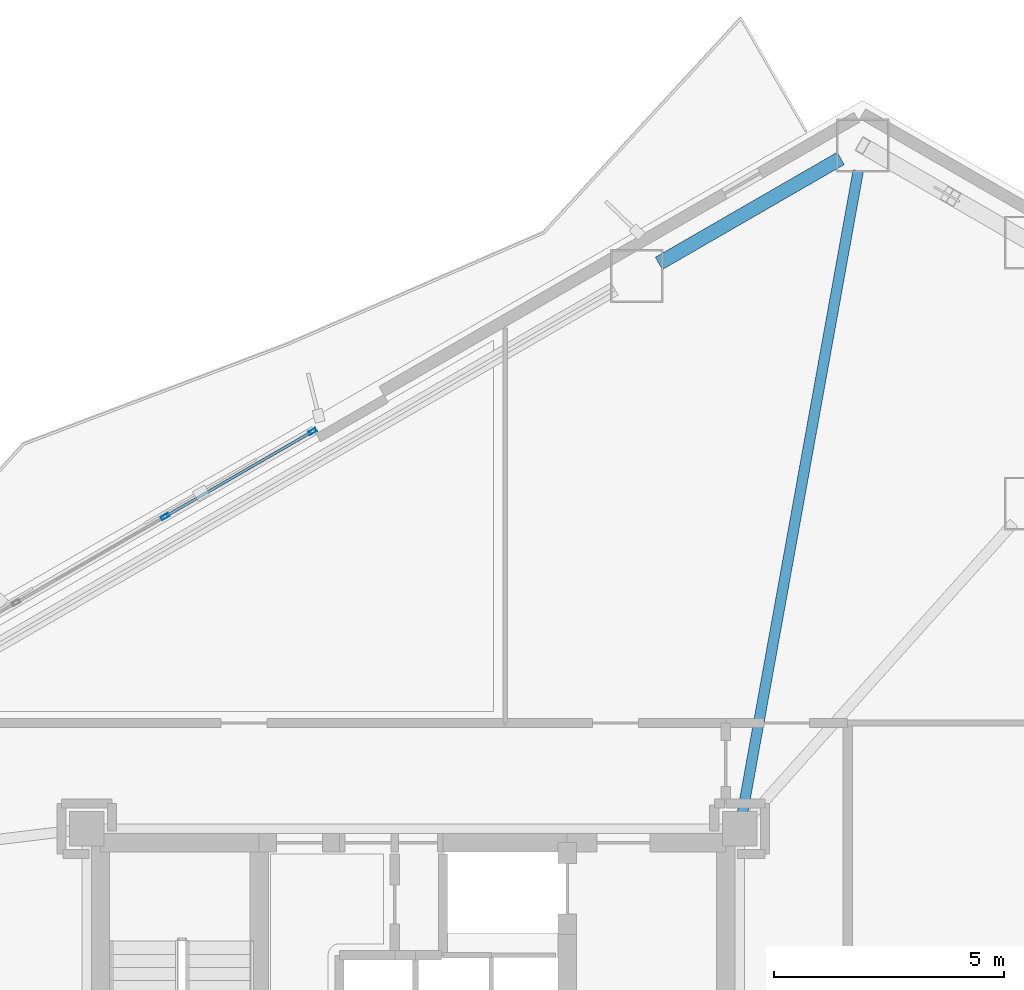
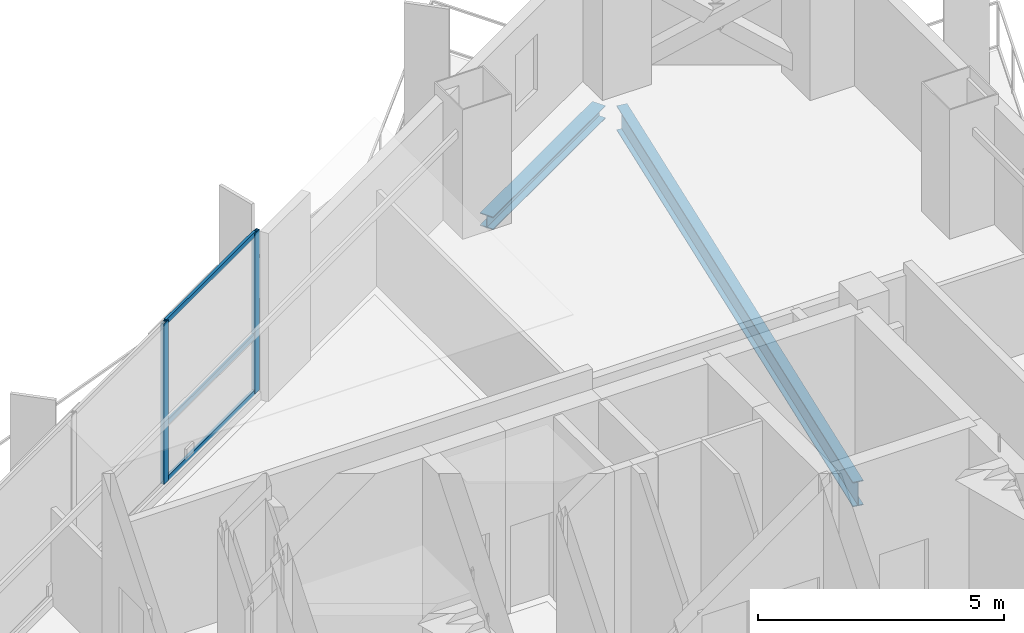
# One storey, part 12 of 20: 5 members, 2 beams, 1 element without a shape of its own.
"""IFC4 building model written with IfcOpenShell, lengths in metres."""

from ifc_helpers import new_model, si_unit, direction, frame, origin, origin_2d, place, context, subcontext, project, spatial, hollow_rectangle, i_section, extrude, material, layer, layer_set, material_profile, profile_set, type_object, element, aggregate, save


model = new_model("IFC4")

# Units and contexts
model_context = context("Model", 3, precision=1e-05, world=origin(), true_north=direction((0.0, 1.0)))
body_context = subcontext(model_context, "Body", "Model", "MODEL_VIEW")
ifc_project = project(units=[si_unit("LENGTHUNIT", "METRE"), si_unit("AREAUNIT", "SQUARE_METRE"), si_unit("VOLUMEUNIT", "CUBIC_METRE"), si_unit("PLANEANGLEUNIT", "RADIAN"), si_unit("MASSUNIT", "GRAM", prefix="KILO")], contexts=[model_context])

# Site, building, storey
site_placement = place(None, origin())
site = spatial("IfcSite", under=ifc_project, at=site_placement, CompositionType="ELEMENT")
building_placement = place(site_placement, origin())
building = spatial("IfcBuilding", under=site, at=building_placement, Name="Mersakhor Tower and Convention Hall", CompositionType="ELEMENT")
storey_placement = place(building_placement, frame((0.0, 0.0, 116.39990234375)))
storey = spatial("IfcBuildingStorey", under=building, at=storey_placement, Name="L32", CompositionType="ELEMENT", Elevation=116.39990234375)

# Beams
ifc_material_1 = material(Name="Steel S355", Category="steel")
ifc_material_profile_1 = material_profile(ifc_material_1, i_section(OverallWidth=0.22900390625, OverallDepth=0.6123046875, WebThickness=0.011962890625, FlangeThickness=0.01953125, at=origin_2d()), Name="UB 610x229x125")
ifc_profile_set_1 = profile_set([ifc_material_profile_1], Name="Steel S355")
beam_type_1 = type_object("IfcBeamType", Name="BM-PR-610", PredefinedType="BEAM", material=ifc_profile_set_1)
beam_1_placement = place(storey_placement, frame((36.1630859375, 33.3994140625, -0.5859375), z_axis=(0.177407335198, 0.984137509405, 0.0), x_axis=(-0.984137509405, 0.177407335198, 0.0)))
element("IfcBeam", 1, at=beam_1_placement, inside=storey, type_object=beam_type_1, Name="L32 Primary Floor Girder FG-2", PredefinedType="BEAM", context=body_context, shape_type="SweptSolid", body=[
    extrude(i_section(OverallWidth=0.22900390625, OverallDepth=0.6123046875, WebThickness=0.011962890625, FlangeThickness=0.01953125, at=origin_2d()), origin(), (0.0, 0.0, 1.0), 14.188232421875),
])
ifc_material_2 = material(Name="Steel S355", Category="steel")
ifc_material_profile_2 = material_profile(ifc_material_2, i_section(OverallWidth=0.30908203125, OverallDepth=0.320556640625, WebThickness=0.013916015625, FlangeThickness=0.021728515625, at=origin_2d()), Name="UC 305x305x137")
ifc_profile_set_2 = profile_set([ifc_material_profile_2], Name="Steel S355")
beam_type_2 = type_object("IfcBeamType", Name="BM-SPD-UC305", PredefinedType="SPANDREL", material=ifc_profile_set_2)
beam_2_placement = place(storey_placement, frame((34.343505859375, 45.34814453125, -0.440185546875), z_axis=(0.866046694585, 0.499963121439, 0.0), x_axis=(-0.499963121439, 0.866046694585, 0.0)))
element("IfcBeam", 2, at=beam_2_placement, inside=storey, type_object=beam_type_2, Name="L32 Perimeter Spandrel Beam SPB-03", PredefinedType="SPANDREL", context=body_context, shape_type="SweptSolid", body=[
    extrude(i_section(OverallWidth=0.30908203125, OverallDepth=0.320556640625, WebThickness=0.013916015625, FlangeThickness=0.021728515625, at=origin_2d()), origin(), (0.0, 0.0, 1.0), 4.566162109375),
])

# Curtain wall, members
ifc_material_3 = material(Name="Dark solar low-E aluminium curtain wall", Category="aluminium")
ifc_layer = layer(ifc_material_3, 0.199951171875)
ifc_layer_set = layer_set([ifc_layer], Name="Dark solar low-E aluminium curtain wall")
curtain_wall_type = type_object("IfcCurtainWallType", Name="CW-SYS-05", PredefinedType="USERDEFINED", material=ifc_layer_set)
curtain_wall_placement = place(storey_placement, origin())
curtain_wall = element("IfcCurtainWall", 3, at=curtain_wall_placement, inside=storey, type_object=curtain_wall_type, Name="L32 Dark-Glass Curtain Wall F1-B2", ObjectType="CURTAIN WALL", PredefinedType="USERDEFINED")
ifc_material_4 = material(Name="Anodised aluminium EN AW-6063 T6", Category="aluminium")
ifc_material_profile_3 = material_profile(ifc_material_4, hollow_rectangle(XDim=0.080078125, YDim=0.179931640625, WallThickness=0.008056640625, at=origin_2d()), Name="RHS 180x80x8")
ifc_profile_set_3 = profile_set([ifc_material_profile_3], Name="Anodised aluminium EN AW-6063 T6")
member_type_1 = type_object("IfcMemberType", Name="CWM-180x80", PredefinedType="MULLION", material=ifc_profile_set_3)
member_1_placement = place(storey_placement, frame((23.603515625, 39.840087890625, 0.2001953125), z_axis=(0.0, 0.0, 1.0), x_axis=(-0.499997904985, 0.866026613339, 0.0)))
member_1 = element("IfcMember", 4, at=member_1_placement, type_object=member_type_1, Name="CW-05 mullion 3", PredefinedType="MULLION", context=body_context, shape_type="SweptSolid", body=[
    extrude(hollow_rectangle(XDim=0.080078125, YDim=0.179931640625, WallThickness=0.008056640625, at=origin_2d()), origin(), (0.0, 0.0, 1.0), 3.97998046875),
])
member_2_placement = place(storey_placement, frame((26.810546875, 41.691650390625, 0.2001953125), z_axis=(0.0, 0.0, 1.0), x_axis=(-0.499997904985, 0.866026613339, 0.0)))
member_2 = element("IfcMember", 5, at=member_2_placement, type_object=member_type_1, Name="CW-05 mullion 4", PredefinedType="MULLION", context=body_context, shape_type="SweptSolid", body=[
    extrude(hollow_rectangle(XDim=0.080078125, YDim=0.179931640625, WallThickness=0.008056640625, at=origin_2d()), origin(), (0.0, 0.0, 1.0), 3.97998046875),
])
ifc_material_5 = material(Name="Anodised aluminium EN AW-6063 T6", Category="aluminium")
ifc_material_profile_4 = material_profile(ifc_material_5, hollow_rectangle(XDim=0.06005859375, YDim=0.1201171875, WallThickness=0.0048828125, at=origin_2d()), Name="RHS 120x60x5")
ifc_profile_set_4 = profile_set([ifc_material_profile_4], Name="Anodised aluminium EN AW-6063 T6")
member_type_2 = type_object("IfcMemberType", Name="CWT-120x60", PredefinedType="USERDEFINED", material=ifc_profile_set_4)
member_3_placement = place(storey_placement, frame((23.63818359375, 39.860107421875, 0.22998046875), z_axis=(0.866028486751, 0.499994660107, 0.0), x_axis=(-0.499994660107, 0.866028486751, 0.0)))
member_3 = element("IfcMember", 6, at=member_3_placement, type_object=member_type_2, Name="CW-05 transom 3.1", ObjectType="TRANSOM", PredefinedType="USERDEFINED", context=body_context, shape_type="SweptSolid", body=[
    extrude(hollow_rectangle(XDim=0.06005859375, YDim=0.1201171875, WallThickness=0.0048828125, at=origin_2d()), origin(), (0.0, 0.0, 1.0), 3.623046875),
])
member_4_placement = place(storey_placement, frame((23.63818359375, 39.860107421875, 1.6201171875), z_axis=(0.866028486751, 0.499994660107, 0.0), x_axis=(-0.499994660107, 0.866028486751, 0.0)))
member_4 = element("IfcMember", 7, at=member_4_placement, type_object=member_type_2, Name="CW-05 transom 3.2", ObjectType="TRANSOM", PredefinedType="USERDEFINED", context=body_context, shape_type="SweptSolid", body=[
    extrude(hollow_rectangle(XDim=0.06005859375, YDim=0.1201171875, WallThickness=0.0048828125, at=origin_2d()), origin(), (0.0, 0.0, 1.0), 3.623046875),
])
member_5_placement = place(storey_placement, frame((23.63818359375, 39.860107421875, 4.150146484375), z_axis=(0.866028486751, 0.499994660107, 0.0), x_axis=(-0.499994660107, 0.866028486751, 0.0)))
member_5 = element("IfcMember", 8, at=member_5_placement, type_object=member_type_2, Name="CW-05 transom 3.3", ObjectType="TRANSOM", PredefinedType="USERDEFINED", context=body_context, shape_type="SweptSolid", body=[
    extrude(hollow_rectangle(XDim=0.06005859375, YDim=0.1201171875, WallThickness=0.0048828125, at=origin_2d()), origin(), (0.0, 0.0, 1.0), 3.623046875),
])
aggregate(curtain_wall, [member_1, member_2, member_3, member_4, member_5])

save(model, "model.ifc")
